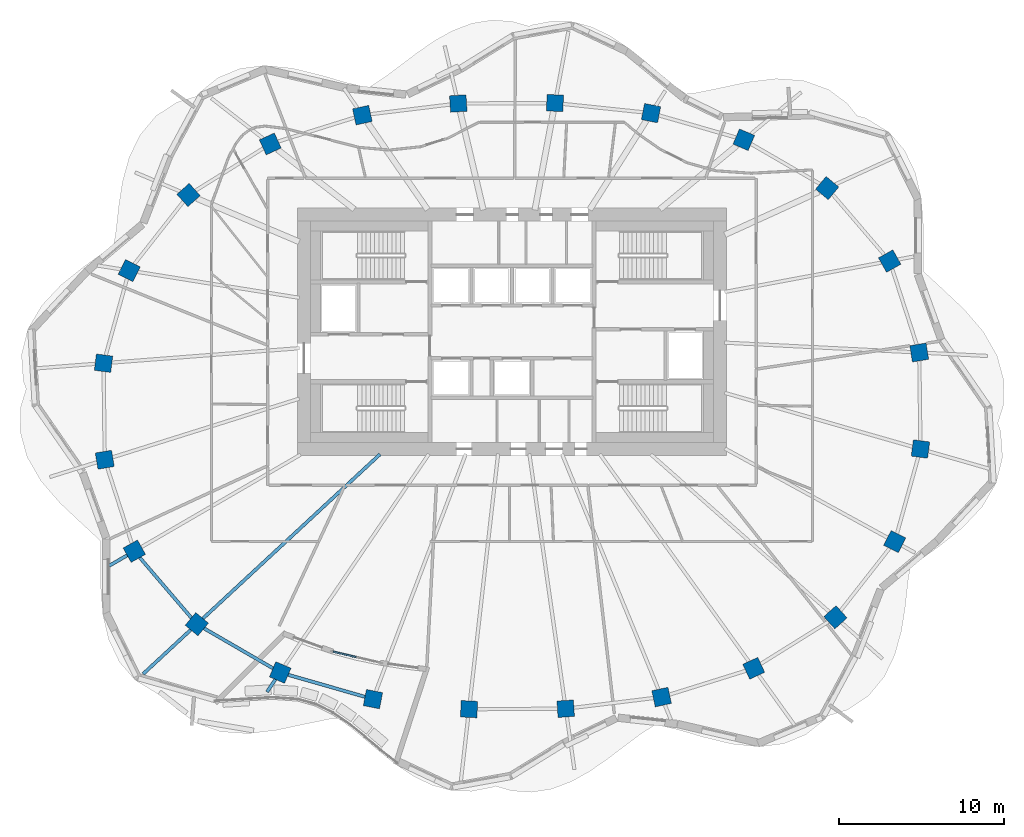
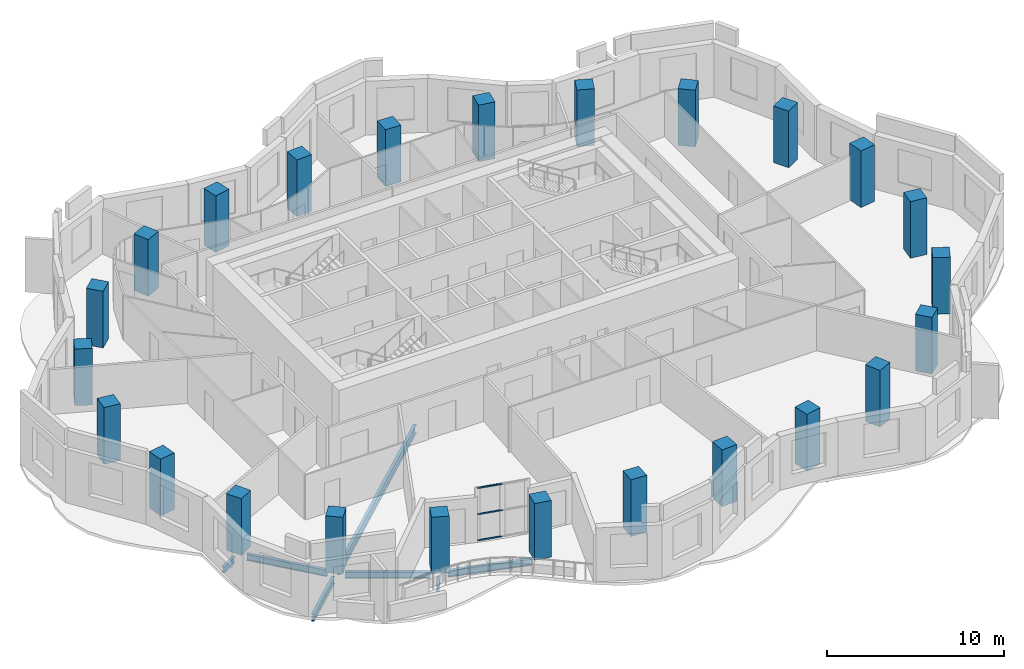
# One storey, part 1 of 13: 24 columns, 7 beams, 3 members, 1 element without a shape of its own.
"""IFC4 building model written with IfcOpenShell, lengths in metres."""

from ifc_helpers import new_model, si_unit, direction, frame, origin, origin_2d, place, context, subcontext, project, spatial, rectangle, i_section, extrude, material, material_profile, profile_set, type_object, element, aggregate, save


model = new_model("IFC4")

# Units and contexts
model_context = context("Model", 3, precision=1e-05, world=origin(), true_north=direction((0.0, 1.0)))
body_context = subcontext(model_context, "Body", "Model", "MODEL_VIEW")
ifc_project = project(units=[si_unit("LENGTHUNIT", "METRE"), si_unit("AREAUNIT", "SQUARE_METRE"), si_unit("VOLUMEUNIT", "CUBIC_METRE"), si_unit("PLANEANGLEUNIT", "RADIAN"), si_unit("MASSUNIT", "GRAM", prefix="KILO")], contexts=[model_context])

# Site, building, storey
site_placement = place(None, origin())
site = spatial("IfcSite", under=ifc_project, at=site_placement, CompositionType="ELEMENT")
building_placement = place(site_placement, origin())
building = spatial("IfcBuilding", under=site, at=building_placement, Name="Rubra Terraces Tower", CompositionType="ELEMENT")
storey_placement = place(building_placement, frame((0.0, 0.0, 252.60009765625)))
storey = spatial("IfcBuildingStorey", under=building, at=storey_placement, Name="L62", CompositionType="ELEMENT", Elevation=252.60009765625)

# Columns
ifc_material_1 = material(Name="Concrete C50", Category="concrete")
ifc_material_profile_1 = material_profile(ifc_material_1, rectangle(XDim=1.0, YDim=1.0, at=origin_2d()), Name="RC 1000x1000")
ifc_profile_set_1 = profile_set([ifc_material_profile_1], Name="Concrete C50")
column_type = type_object("IfcColumnType", Name="RING COLUMN RC 1000x1000 C50", PredefinedType="COLUMN", material=ifc_profile_set_1)
for number, where, z_axis, x_axis, name in (
    (1, (24.6689453125, 3.248046875, 0.0), (0.0, 0.0, 1.0), (-0.161559167715, 0.986863027642, 0.0), "column-L62-ring-01"),
    (2, (22.87890625, 8.787109375, 0.0), (0.0, 0.0, 1.0), (-0.48852601316, 0.872549330678, 0.0), "column-L62-ring-02"),
    (3, (19.092041015625, 13.208984375, 0.0), (0.0, 0.0, 1.0), (-0.76886986222, 0.63940529789, 0.0), "column-L62-ring-03"),
    (4, (14.0419921875, 16.135986328125, 0.0), (0.0, 0.0, 1.0), (-0.920167856842, 0.391524092789, 0.0), "column-L62-ring-04"),
    (5, (8.422119140625, 17.7490234375, 0.0), (0.0, 0.0, 1.0), (-0.981654668733, 0.19066754143, 0.0), "column-L62-ring-05"),
    (6, (2.60205078125, 18.35791015625, 0.0), (0.0, 0.0, 1.0), (-0.998764256028, 0.049698700995, 0.0), "column-L62-ring-06"),
    (7, (-3.25390625, 18.330078125, 0.0), (0.0, 0.0, 1.0), (-0.998031548759, -0.062713855578, 0.0), "column-L62-ring-07"),
    (8, (-9.06298828125, 17.625, 0.0), (0.0, 0.0, 1.0), (-0.977652674797, -0.210226657352, 0.0), "column-L62-ring-08"),
    (9, (-14.64306640625, 15.881103515625, 0.0), (0.0, 0.0, 1.0), (-0.908778580451, -0.417278673927, 0.0), "column-L62-ring-09"),
    (10, (-19.593017578125, 12.7900390625, 0.0), (0.0, 0.0, 1.0), (-0.744021317198, -0.668155879683, 0.0), "column-L62-ring-10"),
    (11, (-23.18505859375, 8.2099609375, 0.0), (0.0, 0.0, 1.0), (-0.451027931402, -0.892509834733, 0.0), "column-L62-ring-11"),
    (12, (-24.742919921875, 2.59912109375, 0.0), (0.0, 0.0, 1.0), (-0.128443684554, -0.991716804283, 0.0), "column-L62-ring-12"),
    (13, (-24.6689453125, -3.248046875, 0.0), (0.0, 0.0, 1.0), (0.161559167715, -0.986863027642, 0.0), "column-L62-ring-13"),
    (14, (-22.87890625, -8.787109375, 0.0), (0.0, 0.0, 1.0), (0.48852601316, -0.872549330678, 0.0), "column-L62-ring-14"),
    (15, (-19.092041015625, -13.208984375, 0.0), (0.0, 0.0, 1.0), (0.76886986222, -0.63940529789, 0.0), "column-L62-ring-15"),
    (16, (-14.0419921875, -16.135986328125, 0.0), (0.0, 0.0, 1.0), (0.920167856842, -0.391524092789, 0.0), "column-L62-ring-16"),
    (17, (-8.422119140625, -17.7490234375, 0.0), (0.0, 0.0, 1.0), (0.981654668733, -0.19066754143, 0.0), "column-L62-ring-17"),
    (18, (-2.60205078125, -18.35791015625, 0.0), (0.0, 0.0, 1.0), (0.998764256028, -0.049698700995, 0.0), "column-L62-ring-18"),
    (19, (3.25390625, -18.330078125, 0.0), (0.0, 0.0, 1.0), (0.998031548759, 0.062713855578, 0.0), "column-L62-ring-19"),
    (20, (9.06298828125, -17.625, 0.0), (0.0, 0.0, 1.0), (0.977652674797, 0.210226657352, 0.0), "column-L62-ring-20"),
    (21, (14.64306640625, -15.881103515625, 0.0), (0.0, 0.0, 1.0), (0.908778580451, 0.417278673927, 0.0), "column-L62-ring-21"),
    (22, (19.593017578125, -12.7900390625, 0.0), (0.0, 0.0, 1.0), (0.744021317198, 0.668155879683, 0.0), "column-L62-ring-22"),
    (23, (23.18505859375, -8.2099609375, 0.0), (0.0, 0.0, 1.0), (0.451027931402, 0.892509834733, 0.0), "column-L62-ring-23"),
    (24, (24.742919921875, -2.59912109375, 0.0), (0.0, 0.0, 1.0), (0.128443684554, 0.991716804283, 0.0), "column-L62-ring-24"),
):
    element("IfcColumn", number, at=place(storey_placement, frame(where, z_axis=z_axis, x_axis=x_axis)), inside=storey, type_object=column_type, Name=name, PredefinedType="COLUMN", context=body_context, shape_type="SweptSolid", body=[
        extrude(rectangle(XDim=1.0, YDim=1.0, at=origin_2d()), origin(), (0.0, 0.0, 1.0), 3.89990234375),
    ])

# Beams
ifc_material_2 = material(Name="Steel Q355B", Category="steel")
ifc_material_profile_2 = material_profile(ifc_material_2, i_section(OverallWidth=0.198974609375, OverallDepth=0.49609375, WebThickness=0.009033203125, FlangeThickness=0.013916015625, at=origin_2d()), Name="HN 496x199x9x14")
ifc_profile_set_2 = profile_set([ifc_material_profile_2], Name="Steel Q355B")
beam_type_1 = type_object("IfcBeamType", Name="CANTILEVER BEAM HN 496x199x9x14", PredefinedType="BEAM", material=ifc_profile_set_2)
beam_1_placement = place(storey_placement, frame((-19.4619140625, -13.552001953125, -0.447998046875), z_axis=(-0.733256316267, -0.679952332634, 0.0), x_axis=(0.679952332634, -0.733256316267, 0.0)))
element("IfcBeam", 25, at=beam_1_placement, inside=storey, type_object=beam_type_1, Name="beam-L62-cant-15", PredefinedType="BEAM", context=body_context, shape_type="SweptSolid", body=[
    extrude(i_section(OverallWidth=0.198974609375, OverallDepth=0.49609375, WebThickness=0.009033203125, FlangeThickness=0.013916015625, at=origin_2d()), origin(), (0.0, 0.0, 1.0), 3.92529296875),
])
ifc_material_profile_3 = material_profile(ifc_material_2, i_section(OverallWidth=0.199951171875, OverallDepth=0.39990234375, WebThickness=0.008056640625, FlangeThickness=0.012939453125, at=origin_2d()), Name="HN 400x200x8x13")
ifc_profile_set_3 = profile_set([ifc_material_profile_3], Name="Steel Q355B")
beam_type_2 = type_object("IfcBeamType", Name="CANTILEVER STUB HN 400x200x8x13", PredefinedType="BEAM", material=ifc_profile_set_3)
beam_2_placement = place(storey_placement, frame((-23.31103515625, -9.0380859375, -0.400146484375), z_axis=(-0.864876013532, -0.501985538852, 0.0), x_axis=(0.501985538852, -0.864876013532, 0.0)))
element("IfcBeam", 26, at=beam_2_placement, inside=storey, type_object=beam_type_2, Name="beam-L62-cant-14", PredefinedType="BEAM", context=body_context, shape_type="SweptSolid", body=[
    extrude(i_section(OverallWidth=0.199951171875, OverallDepth=0.39990234375, WebThickness=0.008056640625, FlangeThickness=0.012939453125, at=origin_2d()), origin(), (0.0, 0.0, 1.0), 1.2568359375),
])
beam_3_placement = place(storey_placement, frame((-14.3291015625, -16.556884765625, -0.400146484375), z_axis=(-0.56169208574, -0.827346360853, 0.0), x_axis=(0.827346360853, -0.56169208574, 0.0)))
element("IfcBeam", 27, at=beam_3_placement, inside=storey, type_object=beam_type_2, Name="beam-L62-cant-16", PredefinedType="BEAM", context=body_context, shape_type="SweptSolid", body=[
    extrude(i_section(OverallWidth=0.199951171875, OverallDepth=0.39990234375, WebThickness=0.008056640625, FlangeThickness=0.012939453125, at=origin_2d()), origin(), (0.0, 0.0, 1.0), 0.907958984375),
])
ifc_material_profile_4 = material_profile(ifc_material_2, i_section(OverallWidth=0.198974609375, OverallDepth=0.595947265625, WebThickness=0.010009765625, FlangeThickness=0.014892578125, at=origin_2d()), Name="HN 596x199x10x15")
ifc_profile_set_4 = profile_set([ifc_material_profile_4], Name="Steel Q355B")
beam_type_3 = type_object("IfcBeamType", Name="FLOOR BEAM HN 596x199x10x15", PredefinedType="BEAM", material=ifc_profile_set_4)
beam_4_placement = place(storey_placement, frame((-18.721923828125, -12.865966796875, -0.498046875), z_axis=(0.733130458484, 0.680088031687, 0.0), x_axis=(-0.680088031687, 0.733130458484, 0.0)))
element("IfcBeam", 28, at=beam_4_placement, inside=storey, type_object=beam_type_3, Name="beam-L62-floor-15", PredefinedType="BEAM", context=body_context, shape_type="SweptSolid", body=[
    extrude(i_section(OverallWidth=0.198974609375, OverallDepth=0.595947265625, WebThickness=0.010009765625, FlangeThickness=0.014892578125, at=origin_2d()), origin(), (0.0, 0.0, 1.0), 14.62744140625),
])
ifc_material_profile_5 = material_profile(ifc_material_2, i_section(OverallWidth=0.198974609375, OverallDepth=0.446044921875, WebThickness=0.008056640625, FlangeThickness=0.011962890625, at=origin_2d()), Name="HN 446x199x8x12")
ifc_profile_set_5 = profile_set([ifc_material_profile_5], Name="Steel Q355B")
beam_type_4 = type_object("IfcBeamType", Name="SPANDREL BEAM HN 446x199x8x12", PredefinedType="SPANDREL", material=ifc_profile_set_5)
beam_5_placement = place(storey_placement, frame((-22.547119140625, -9.174072265625, -0.423095703125), z_axis=(0.650372836218, -0.759615148552, 0.0), x_axis=(0.759615148552, 0.650372836218, 0.0)))
element("IfcBeam", 29, at=beam_5_placement, inside=storey, type_object=beam_type_4, Name="beam-L62-spandrel-14", PredefinedType="SPANDREL", context=body_context, shape_type="SweptSolid", body=[
    extrude(i_section(OverallWidth=0.198974609375, OverallDepth=0.446044921875, WebThickness=0.008056640625, FlangeThickness=0.011962890625, at=origin_2d()), origin(), (0.0, 0.0, 1.0), 4.804931640625),
])
beam_6_placement = place(storey_placement, frame((-18.653076171875, -13.462890625, -0.423095703125), z_axis=(0.865153680787, -0.501506838059, 0.0), x_axis=(0.501506838059, 0.865153680787, 0.0)))
element("IfcBeam", 30, at=beam_6_placement, inside=storey, type_object=beam_type_4, Name="beam-L62-spandrel-15", PredefinedType="SPANDREL", context=body_context, shape_type="SweptSolid", body=[
    extrude(i_section(OverallWidth=0.198974609375, OverallDepth=0.446044921875, WebThickness=0.008056640625, FlangeThickness=0.011962890625, at=origin_2d()), origin(), (0.0, 0.0, 1.0), 4.82568359375),
])
beam_7_placement = place(storey_placement, frame((-13.55810546875, -16.27490234375, -0.423095703125), z_axis=(0.961171164323, -0.275952881621, 0.0), x_axis=(0.275952881621, 0.961171164323, 0.0)))
element("IfcBeam", 31, at=beam_7_placement, inside=storey, type_object=beam_type_4, Name="beam-L62-spandrel-16", PredefinedType="SPANDREL", context=body_context, shape_type="SweptSolid", body=[
    extrude(i_section(OverallWidth=0.198974609375, OverallDepth=0.446044921875, WebThickness=0.008056640625, FlangeThickness=0.011962890625, at=origin_2d()), origin(), (0.0, 0.0, 1.0), 4.842041015625),
])

# Curtain wall, members
ifc_material_3 = material(Name="Aluminium and glass", Category="aluminium")
curtain_wall_type = type_object("IfcCurtainWallType", Name="Curtain wall Terrace glazing", PredefinedType="NOTDEFINED", material=ifc_material_3)
curtain_wall_placement = place(storey_placement, origin())
curtain_wall = element("IfcCurtainWall", 32, at=curtain_wall_placement, inside=storey, type_object=curtain_wall_type, Name="Terrace glazing L62", PredefinedType="NOTDEFINED")
ifc_material_4 = material(Name="Aluminium, anodised dark grey", Category="aluminium")
ifc_material_profile_6 = material_profile(ifc_material_4, rectangle(XDim=0.10009765625, YDim=0.050048828125, at=origin_2d()), Name="AL 100x50")
ifc_profile_set_6 = profile_set([ifc_material_profile_6], Name="Aluminium, anodised dark grey")
member_type = type_object("IfcMemberType", Name="Terrace glazing transom 100 x 50", PredefinedType="USERDEFINED", material=ifc_profile_set_6)
member_1_placement = place(storey_placement, frame((-10.822021484375, -14.87451171875, 0.0498046875), z_axis=(0.973475793292, -0.228790034472, 0.0), x_axis=(0.228790034472, 0.973475793292, 0.0)))
member_1 = element("IfcMember", 33, at=member_1_placement, type_object=member_type, Name="CW3 transom 1.1", ObjectType="TRANSOM", PredefinedType="USERDEFINED", context=body_context, shape_type="SweptSolid", body=[
    extrude(rectangle(XDim=0.10009765625, YDim=0.050048828125, at=origin_2d()), origin(), (0.0, 0.0, 1.0), 1.419189453125),
])
member_2_placement = place(storey_placement, frame((-10.822021484375, -14.87451171875, 1.849853515625), z_axis=(0.973475793292, -0.228790034472, 0.0), x_axis=(0.228790034472, 0.973475793292, 0.0)))
member_2 = element("IfcMember", 34, at=member_2_placement, type_object=member_type, Name="CW3 transom 1.2", ObjectType="TRANSOM", PredefinedType="USERDEFINED", context=body_context, shape_type="SweptSolid", body=[
    extrude(rectangle(XDim=0.10009765625, YDim=0.050048828125, at=origin_2d()), origin(), (0.0, 0.0, 1.0), 1.419189453125),
])
member_3_placement = place(storey_placement, frame((-10.822021484375, -14.87451171875, 3.64990234375), z_axis=(0.973475793292, -0.228790034472, 0.0), x_axis=(0.228790034472, 0.973475793292, 0.0)))
member_3 = element("IfcMember", 35, at=member_3_placement, type_object=member_type, Name="CW3 transom 1.3", ObjectType="TRANSOM", PredefinedType="USERDEFINED", context=body_context, shape_type="SweptSolid", body=[
    extrude(rectangle(XDim=0.10009765625, YDim=0.050048828125, at=origin_2d()), origin(), (0.0, 0.0, 1.0), 1.419189453125),
])
aggregate(curtain_wall, [member_1, member_2, member_3])

save(model, "model.ifc")
